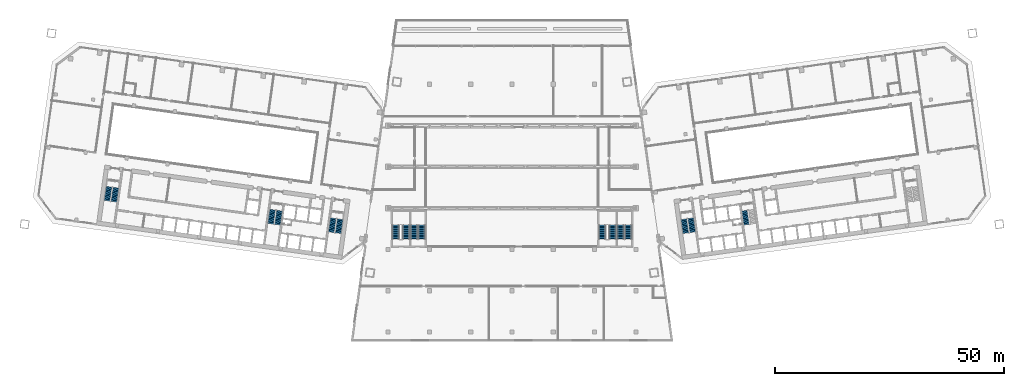
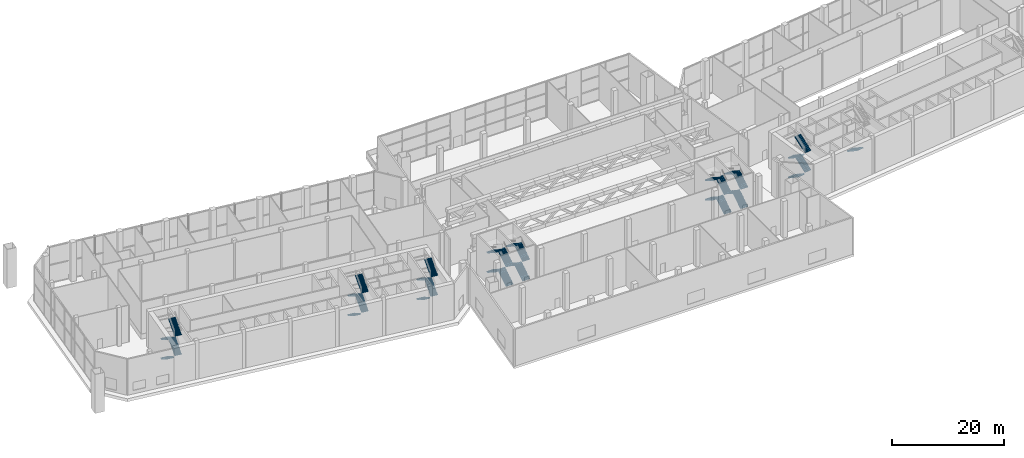
# One storey, part 26 of 31: 33 stair flights, 9 elements without a shape of their own.
"""IFC4 building model written with IfcOpenShell, lengths in metres."""

from ifc_helpers import new_model, si_unit, direction, frame, origin, place, context, subcontext, project, spatial, polyline, outline, extrude, material, type_object, element, aggregate, save


model = new_model("IFC4")

# Units and contexts
model_context = context("Model", 3, precision=1e-05, world=origin(), true_north=direction((0.0, 1.0)))
body_context = subcontext(model_context, "Body", "Model", "MODEL_VIEW")
ifc_project = project(units=[si_unit("LENGTHUNIT", "METRE"), si_unit("AREAUNIT", "SQUARE_METRE"), si_unit("VOLUMEUNIT", "CUBIC_METRE"), si_unit("PLANEANGLEUNIT", "RADIAN"), si_unit("MASSUNIT", "GRAM", prefix="KILO")], contexts=[model_context])

# Site, building, storey
site_placement = place(None, origin())
site = spatial("IfcSite", under=ifc_project, at=site_placement, CompositionType="ELEMENT")
building_placement = place(site_placement, origin())
building = spatial("IfcBuilding", under=site, at=building_placement, Name="Mirante Cascada Hotel Towers", CompositionType="ELEMENT")
storey_placement = place(building_placement, frame((0.0, 0.0, 9.0)))
storey = spatial("IfcBuildingStorey", under=building, at=storey_placement, Name="L01", CompositionType="ELEMENT", Elevation=9.0)

# Stair, stair flights
ifc_material_1 = material(Name="Concrete C35/45", Category="concrete")
stair_type_1 = type_object("IfcStairType", Name="Exit stair half-turn 1350 concrete C35/45", PredefinedType="HALF_TURN_STAIR", material=ifc_material_1)
stair_1_placement = place(storey_placement, origin())
stair_1 = element("IfcStair", 1, at=stair_1_placement, inside=storey, type_object=stair_type_1, Name="L01 Exit stair A", PredefinedType="HALF_TURN_STAIR")
ifc_material_2 = material(Name="Concrete C35/45", Category="concrete")
stair_flight_type_1 = type_object("IfcStairFlightType", Name="Exit stair flight 1350 concrete C35/45", PredefinedType="STRAIGHT", material=ifc_material_2)
stair_flight_1_placement = place(storey_placement, frame((-38.9417, -11.195, 0.0), z_axis=(0.0, 0.0, 1.0), x_axis=(-0.1391731, -0.9902681, 0.0)))
stair_flight_1 = element("IfcStairFlight", 2, at=stair_flight_1_placement, type_object=stair_flight_type_1, Name="ST1-A flight 1", NumberOfRisers=12, NumberOfTreads=11, PredefinedType="STRAIGHT", RiserHeight=0.177083333, TreadLength=0.28, context=body_context, shape_type="SweptSolid", body=[
    extrude(outline(polyline([(0.0, 0.0), (0.0, 0.1771), (0.28, 0.1771), (0.28, 0.3542), (0.56, 0.3542), (0.56, 0.5312), (0.84, 0.5312), (0.84, 0.7083), (1.12, 0.7083), (1.12, 0.8854), (1.4, 0.8854), (1.4, 1.0625), (1.68, 1.0625), (1.68, 1.2396), (1.96, 1.2396), (1.96, 1.4167), (2.24, 1.4167), (2.24, 1.5937), (2.52, 1.5937), (2.52, 1.7708), (2.8, 1.7708), (2.8, 1.9479), (3.08, 1.9479), (3.08, 2.125), (3.08, 1.7704), (0.2806, 0.0), (0.0, 0.0)])), frame((0.0, 0.675, 0.0), z_axis=(0.0, -1.0, 0.0), x_axis=(1.0, 0.0, 0.0)), (0.0, 0.0, 1.0), 1.35),
])
stair_flight_2_placement = place(storey_placement, frame((-37.885, -14.4538, 2.125), z_axis=(0.0, 0.0, 1.0), x_axis=(0.1391731, 0.9902681, 0.0)))
stair_flight_2 = element("IfcStairFlight", 3, at=stair_flight_2_placement, type_object=stair_flight_type_1, Name="ST1-A flight 2", NumberOfRisers=12, NumberOfTreads=11, PredefinedType="STRAIGHT", RiserHeight=0.177083333, TreadLength=0.28, context=body_context, shape_type="SweptSolid", body=[
    extrude(outline(polyline([(0.0, 0.0), (0.0, 0.1771), (0.28, 0.1771), (0.28, 0.3542), (0.56, 0.3542), (0.56, 0.5312), (0.84, 0.5312), (0.84, 0.7083), (1.12, 0.7083), (1.12, 0.8854), (1.4, 0.8854), (1.4, 1.0625), (1.68, 1.0625), (1.68, 1.2396), (1.96, 1.2396), (1.96, 1.4167), (2.24, 1.4167), (2.24, 1.5937), (2.52, 1.5937), (2.52, 1.7708), (2.8, 1.7708), (2.8, 1.9479), (3.08, 1.9479), (3.08, 2.125), (3.08, 1.7704), (0.2806, 0.0), (0.0, 0.0)])), frame((0.0, 0.675, 0.0), z_axis=(0.0, -1.0, 0.0), x_axis=(1.0, 0.0, 0.0)), (0.0, 0.0, 1.0), 1.35),
])
stair_flight_3_placement = place(storey_placement, frame((-38.9417, -11.195, 4.25), z_axis=(0.0, 0.0, 1.0), x_axis=(-0.1391731, -0.9902681, 0.0)))
stair_flight_3 = element("IfcStairFlight", 4, at=stair_flight_3_placement, type_object=stair_flight_type_1, Name="ST1-A flight 3", NumberOfRisers=12, NumberOfTreads=11, PredefinedType="STRAIGHT", RiserHeight=0.177083333, TreadLength=0.28, context=body_context, shape_type="SweptSolid", body=[
    extrude(outline(polyline([(0.0, 0.0), (0.0, 0.1771), (0.28, 0.1771), (0.28, 0.3542), (0.56, 0.3542), (0.56, 0.5312), (0.84, 0.5312), (0.84, 0.7083), (1.12, 0.7083), (1.12, 0.8854), (1.4, 0.8854), (1.4, 1.0625), (1.68, 1.0625), (1.68, 1.2396), (1.96, 1.2396), (1.96, 1.4167), (2.24, 1.4167), (2.24, 1.5937), (2.52, 1.5937), (2.52, 1.7708), (2.8, 1.7708), (2.8, 1.9479), (3.08, 1.9479), (3.08, 2.125), (3.08, 1.7704), (0.2806, 0.0), (0.0, 0.0)])), frame((0.0, 0.675, 0.0), z_axis=(0.0, -1.0, 0.0), x_axis=(1.0, 0.0, 0.0)), (0.0, 0.0, 1.0), 1.35),
])
stair_flight_4_placement = place(storey_placement, frame((-37.885, -14.4538, 6.375), z_axis=(0.0, 0.0, 1.0), x_axis=(0.1391731, 0.9902681, 0.0)))
stair_flight_4 = element("IfcStairFlight", 5, at=stair_flight_4_placement, type_object=stair_flight_type_1, Name="ST1-A flight 4", NumberOfRisers=12, NumberOfTreads=11, PredefinedType="STRAIGHT", RiserHeight=0.177083333, TreadLength=0.28, context=body_context, shape_type="SweptSolid", body=[
    extrude(outline(polyline([(0.0, 0.0), (0.0, 0.1771), (0.28, 0.1771), (0.28, 0.3542), (0.56, 0.3542), (0.56, 0.5312), (0.84, 0.5312), (0.84, 0.7083), (1.12, 0.7083), (1.12, 0.8854), (1.4, 0.8854), (1.4, 1.0625), (1.68, 1.0625), (1.68, 1.2396), (1.96, 1.2396), (1.96, 1.4167), (2.24, 1.4167), (2.24, 1.5937), (2.52, 1.5937), (2.52, 1.7708), (2.8, 1.7708), (2.8, 1.9479), (3.08, 1.9479), (3.08, 2.125), (3.08, 1.7704), (0.2806, 0.0), (0.0, 0.0)])), frame((0.0, 0.675, 0.0), z_axis=(0.0, -1.0, 0.0), x_axis=(1.0, 0.0, 0.0)), (0.0, 0.0, 1.0), 1.35),
])
aggregate(stair_1, [stair_flight_1, stair_flight_2, stair_flight_3, stair_flight_4])

stair_2_placement = place(storey_placement, origin())
stair_2 = element("IfcStair", 6, at=stair_2_placement, inside=storey, type_object=stair_type_1, Name="L01 Exit stair B", PredefinedType="HALF_TURN_STAIR")
stair_flight_5_placement = place(storey_placement, frame((-52.1618, -9.3371, 0.0), z_axis=(0.0, 0.0, 1.0), x_axis=(-0.1391731, -0.9902681, 0.0)))
stair_flight_5 = element("IfcStairFlight", 7, at=stair_flight_5_placement, type_object=stair_flight_type_1, Name="ST1-B flight 1", NumberOfRisers=12, NumberOfTreads=11, PredefinedType="STRAIGHT", RiserHeight=0.177083333, TreadLength=0.28, context=body_context, shape_type="SweptSolid", body=[
    extrude(outline(polyline([(0.0, 0.0), (0.0, 0.1771), (0.28, 0.1771), (0.28, 0.3542), (0.56, 0.3542), (0.56, 0.5312), (0.84, 0.5312), (0.84, 0.7083), (1.12, 0.7083), (1.12, 0.8854), (1.4, 0.8854), (1.4, 1.0625), (1.68, 1.0625), (1.68, 1.2396), (1.96, 1.2396), (1.96, 1.4167), (2.24, 1.4167), (2.24, 1.5937), (2.52, 1.5937), (2.52, 1.7708), (2.8, 1.7708), (2.8, 1.9479), (3.08, 1.9479), (3.08, 2.125), (3.08, 1.7704), (0.2806, 0.0), (0.0, 0.0)])), frame((0.0, 0.675, 0.0), z_axis=(0.0, -1.0, 0.0), x_axis=(1.0, 0.0, 0.0)), (0.0, 0.0, 1.0), 1.35),
])
stair_flight_6_placement = place(storey_placement, frame((-51.1051, -12.5959, 2.125), z_axis=(0.0, 0.0, 1.0), x_axis=(0.1391731, 0.9902681, 0.0)))
stair_flight_6 = element("IfcStairFlight", 8, at=stair_flight_6_placement, type_object=stair_flight_type_1, Name="ST1-B flight 2", NumberOfRisers=12, NumberOfTreads=11, PredefinedType="STRAIGHT", RiserHeight=0.177083333, TreadLength=0.28, context=body_context, shape_type="SweptSolid", body=[
    extrude(outline(polyline([(0.0, 0.0), (0.0, 0.1771), (0.28, 0.1771), (0.28, 0.3542), (0.56, 0.3542), (0.56, 0.5312), (0.84, 0.5312), (0.84, 0.7083), (1.12, 0.7083), (1.12, 0.8854), (1.4, 0.8854), (1.4, 1.0625), (1.68, 1.0625), (1.68, 1.2396), (1.96, 1.2396), (1.96, 1.4167), (2.24, 1.4167), (2.24, 1.5937), (2.52, 1.5937), (2.52, 1.7708), (2.8, 1.7708), (2.8, 1.9479), (3.08, 1.9479), (3.08, 2.125), (3.08, 1.7704), (0.2806, 0.0), (0.0, 0.0)])), frame((0.0, 0.675, 0.0), z_axis=(0.0, -1.0, 0.0), x_axis=(1.0, 0.0, 0.0)), (0.0, 0.0, 1.0), 1.35),
])
stair_flight_7_placement = place(storey_placement, frame((-52.1618, -9.3371, 4.25), z_axis=(0.0, 0.0, 1.0), x_axis=(-0.1391731, -0.9902681, 0.0)))
stair_flight_7 = element("IfcStairFlight", 9, at=stair_flight_7_placement, type_object=stair_flight_type_1, Name="ST1-B flight 3", NumberOfRisers=12, NumberOfTreads=11, PredefinedType="STRAIGHT", RiserHeight=0.177083333, TreadLength=0.28, context=body_context, shape_type="SweptSolid", body=[
    extrude(outline(polyline([(0.0, 0.0), (0.0, 0.1771), (0.28, 0.1771), (0.28, 0.3542), (0.56, 0.3542), (0.56, 0.5312), (0.84, 0.5312), (0.84, 0.7083), (1.12, 0.7083), (1.12, 0.8854), (1.4, 0.8854), (1.4, 1.0625), (1.68, 1.0625), (1.68, 1.2396), (1.96, 1.2396), (1.96, 1.4167), (2.24, 1.4167), (2.24, 1.5937), (2.52, 1.5937), (2.52, 1.7708), (2.8, 1.7708), (2.8, 1.9479), (3.08, 1.9479), (3.08, 2.125), (3.08, 1.7704), (0.2806, 0.0), (0.0, 0.0)])), frame((0.0, 0.675, 0.0), z_axis=(0.0, -1.0, 0.0), x_axis=(1.0, 0.0, 0.0)), (0.0, 0.0, 1.0), 1.35),
])
stair_flight_8_placement = place(storey_placement, frame((-51.1051, -12.5959, 6.375), z_axis=(0.0, 0.0, 1.0), x_axis=(0.1391731, 0.9902681, 0.0)))
stair_flight_8 = element("IfcStairFlight", 10, at=stair_flight_8_placement, type_object=stair_flight_type_1, Name="ST1-B flight 4", NumberOfRisers=12, NumberOfTreads=11, PredefinedType="STRAIGHT", RiserHeight=0.177083333, TreadLength=0.28, context=body_context, shape_type="SweptSolid", body=[
    extrude(outline(polyline([(0.0, 0.0), (0.0, 0.1771), (0.28, 0.1771), (0.28, 0.3542), (0.56, 0.3542), (0.56, 0.5312), (0.84, 0.5312), (0.84, 0.7083), (1.12, 0.7083), (1.12, 0.8854), (1.4, 0.8854), (1.4, 1.0625), (1.68, 1.0625), (1.68, 1.2396), (1.96, 1.2396), (1.96, 1.4167), (2.24, 1.4167), (2.24, 1.5937), (2.52, 1.5937), (2.52, 1.7708), (2.8, 1.7708), (2.8, 1.9479), (3.08, 1.9479), (3.08, 2.125), (3.08, 1.7704), (0.2806, 0.0), (0.0, 0.0)])), frame((0.0, 0.675, 0.0), z_axis=(0.0, -1.0, 0.0), x_axis=(1.0, 0.0, 0.0)), (0.0, 0.0, 1.0), 1.35),
])
aggregate(stair_2, [stair_flight_5, stair_flight_6, stair_flight_7, stair_flight_8])

stair_3_placement = place(storey_placement, origin())
stair_3 = element("IfcStair", 11, at=stair_3_placement, inside=storey, type_object=stair_type_1, Name="L01 Exit stair C", PredefinedType="HALF_TURN_STAIR")
stair_flight_9_placement = place(storey_placement, frame((-87.8115, -4.3268, 0.0), z_axis=(0.0, 0.0, 1.0), x_axis=(-0.1391731, -0.9902681, 0.0)))
stair_flight_9 = element("IfcStairFlight", 12, at=stair_flight_9_placement, type_object=stair_flight_type_1, Name="ST1-C flight 1", NumberOfRisers=12, NumberOfTreads=11, PredefinedType="STRAIGHT", RiserHeight=0.177083333, TreadLength=0.28, context=body_context, shape_type="SweptSolid", body=[
    extrude(outline(polyline([(0.0, 0.0), (0.0, 0.1771), (0.28, 0.1771), (0.28, 0.3542), (0.56, 0.3542), (0.56, 0.5312), (0.84, 0.5312), (0.84, 0.7083), (1.12, 0.7083), (1.12, 0.8854), (1.4, 0.8854), (1.4, 1.0625), (1.68, 1.0625), (1.68, 1.2396), (1.96, 1.2396), (1.96, 1.4167), (2.24, 1.4167), (2.24, 1.5937), (2.52, 1.5937), (2.52, 1.7708), (2.8, 1.7708), (2.8, 1.9479), (3.08, 1.9479), (3.08, 2.125), (3.08, 1.7704), (0.2806, 0.0), (0.0, 0.0)])), frame((0.0, 0.675, 0.0), z_axis=(0.0, -1.0, 0.0), x_axis=(1.0, 0.0, 0.0)), (0.0, 0.0, 1.0), 1.35),
])
stair_flight_10_placement = place(storey_placement, frame((-86.7547, -7.5856, 2.125), z_axis=(0.0, 0.0, 1.0), x_axis=(0.1391731, 0.9902681, 0.0)))
stair_flight_10 = element("IfcStairFlight", 13, at=stair_flight_10_placement, type_object=stair_flight_type_1, Name="ST1-C flight 2", NumberOfRisers=12, NumberOfTreads=11, PredefinedType="STRAIGHT", RiserHeight=0.177083333, TreadLength=0.28, context=body_context, shape_type="SweptSolid", body=[
    extrude(outline(polyline([(0.0, 0.0), (0.0, 0.1771), (0.28, 0.1771), (0.28, 0.3542), (0.56, 0.3542), (0.56, 0.5312), (0.84, 0.5312), (0.84, 0.7083), (1.12, 0.7083), (1.12, 0.8854), (1.4, 0.8854), (1.4, 1.0625), (1.68, 1.0625), (1.68, 1.2396), (1.96, 1.2396), (1.96, 1.4167), (2.24, 1.4167), (2.24, 1.5937), (2.52, 1.5937), (2.52, 1.7708), (2.8, 1.7708), (2.8, 1.9479), (3.08, 1.9479), (3.08, 2.125), (3.08, 1.7704), (0.2806, 0.0), (0.0, 0.0)])), frame((0.0, 0.675, 0.0), z_axis=(0.0, -1.0, 0.0), x_axis=(1.0, 0.0, 0.0)), (0.0, 0.0, 1.0), 1.35),
])
stair_flight_11_placement = place(storey_placement, frame((-87.8115, -4.3268, 4.25), z_axis=(0.0, 0.0, 1.0), x_axis=(-0.1391731, -0.9902681, 0.0)))
stair_flight_11 = element("IfcStairFlight", 14, at=stair_flight_11_placement, type_object=stair_flight_type_1, Name="ST1-C flight 3", NumberOfRisers=12, NumberOfTreads=11, PredefinedType="STRAIGHT", RiserHeight=0.177083333, TreadLength=0.28, context=body_context, shape_type="SweptSolid", body=[
    extrude(outline(polyline([(0.0, 0.0), (0.0, 0.1771), (0.28, 0.1771), (0.28, 0.3542), (0.56, 0.3542), (0.56, 0.5312), (0.84, 0.5312), (0.84, 0.7083), (1.12, 0.7083), (1.12, 0.8854), (1.4, 0.8854), (1.4, 1.0625), (1.68, 1.0625), (1.68, 1.2396), (1.96, 1.2396), (1.96, 1.4167), (2.24, 1.4167), (2.24, 1.5937), (2.52, 1.5937), (2.52, 1.7708), (2.8, 1.7708), (2.8, 1.9479), (3.08, 1.9479), (3.08, 2.125), (3.08, 1.7704), (0.2806, 0.0), (0.0, 0.0)])), frame((0.0, 0.675, 0.0), z_axis=(0.0, -1.0, 0.0), x_axis=(1.0, 0.0, 0.0)), (0.0, 0.0, 1.0), 1.35),
])
stair_flight_12_placement = place(storey_placement, frame((-86.7547, -7.5856, 6.375), z_axis=(0.0, 0.0, 1.0), x_axis=(0.1391731, 0.9902681, 0.0)))
stair_flight_12 = element("IfcStairFlight", 15, at=stair_flight_12_placement, type_object=stair_flight_type_1, Name="ST1-C flight 4", NumberOfRisers=12, NumberOfTreads=11, PredefinedType="STRAIGHT", RiserHeight=0.177083333, TreadLength=0.28, context=body_context, shape_type="SweptSolid", body=[
    extrude(outline(polyline([(0.0, 0.0), (0.0, 0.1771), (0.28, 0.1771), (0.28, 0.3542), (0.56, 0.3542), (0.56, 0.5312), (0.84, 0.5312), (0.84, 0.7083), (1.12, 0.7083), (1.12, 0.8854), (1.4, 0.8854), (1.4, 1.0625), (1.68, 1.0625), (1.68, 1.2396), (1.96, 1.2396), (1.96, 1.4167), (2.24, 1.4167), (2.24, 1.5937), (2.52, 1.5937), (2.52, 1.7708), (2.8, 1.7708), (2.8, 1.9479), (3.08, 1.9479), (3.08, 2.125), (3.08, 1.7704), (0.2806, 0.0), (0.0, 0.0)])), frame((0.0, 0.675, 0.0), z_axis=(0.0, -1.0, 0.0), x_axis=(1.0, 0.0, 0.0)), (0.0, 0.0, 1.0), 1.35),
])
aggregate(stair_3, [stair_flight_9, stair_flight_10, stair_flight_11, stair_flight_12])

stair_4_placement = place(storey_placement, origin())
stair_4 = element("IfcStair", 16, at=stair_4_placement, inside=storey, type_object=stair_type_1, Name="L01 Exit stair A", PredefinedType="HALF_TURN_STAIR")
stair_flight_13_placement = place(storey_placement, frame((37.4563, -11.4038, 0.0), z_axis=(0.0, 0.0, 1.0), x_axis=(0.1391731, -0.9902681, 0.0)))
stair_flight_13 = element("IfcStairFlight", 17, at=stair_flight_13_placement, type_object=stair_flight_type_1, Name="ST2-A flight 1", NumberOfRisers=12, NumberOfTreads=11, PredefinedType="STRAIGHT", RiserHeight=0.177083333, TreadLength=0.28, context=body_context, shape_type="SweptSolid", body=[
    extrude(outline(polyline([(0.0, 0.0), (0.0, 0.1771), (0.28, 0.1771), (0.28, 0.3542), (0.56, 0.3542), (0.56, 0.5312), (0.84, 0.5312), (0.84, 0.7083), (1.12, 0.7083), (1.12, 0.8854), (1.4, 0.8854), (1.4, 1.0625), (1.68, 1.0625), (1.68, 1.2396), (1.96, 1.2396), (1.96, 1.4167), (2.24, 1.4167), (2.24, 1.5937), (2.52, 1.5937), (2.52, 1.7708), (2.8, 1.7708), (2.8, 1.9479), (3.08, 1.9479), (3.08, 2.125), (3.08, 1.7704), (0.2806, 0.0), (0.0, 0.0)])), frame((0.0, 0.675, 0.0), z_axis=(0.0, -1.0, 0.0), x_axis=(1.0, 0.0, 0.0)), (0.0, 0.0, 1.0), 1.35),
])
stair_flight_14_placement = place(storey_placement, frame((39.3704, -14.2451, 2.125), z_axis=(0.0, 0.0, 1.0), x_axis=(-0.1391731, 0.9902681, 0.0)))
stair_flight_14 = element("IfcStairFlight", 18, at=stair_flight_14_placement, type_object=stair_flight_type_1, Name="ST2-A flight 2", NumberOfRisers=12, NumberOfTreads=11, PredefinedType="STRAIGHT", RiserHeight=0.177083333, TreadLength=0.28, context=body_context, shape_type="SweptSolid", body=[
    extrude(outline(polyline([(0.0, 0.0), (0.0, 0.1771), (0.28, 0.1771), (0.28, 0.3542), (0.56, 0.3542), (0.56, 0.5312), (0.84, 0.5312), (0.84, 0.7083), (1.12, 0.7083), (1.12, 0.8854), (1.4, 0.8854), (1.4, 1.0625), (1.68, 1.0625), (1.68, 1.2396), (1.96, 1.2396), (1.96, 1.4167), (2.24, 1.4167), (2.24, 1.5937), (2.52, 1.5937), (2.52, 1.7708), (2.8, 1.7708), (2.8, 1.9479), (3.08, 1.9479), (3.08, 2.125), (3.08, 1.7704), (0.2806, 0.0), (0.0, 0.0)])), frame((0.0, 0.675, 0.0), z_axis=(0.0, -1.0, 0.0), x_axis=(1.0, 0.0, 0.0)), (0.0, 0.0, 1.0), 1.35),
])
stair_flight_15_placement = place(storey_placement, frame((37.4563, -11.4038, 4.25), z_axis=(0.0, 0.0, 1.0), x_axis=(0.1391731, -0.9902681, 0.0)))
stair_flight_15 = element("IfcStairFlight", 19, at=stair_flight_15_placement, type_object=stair_flight_type_1, Name="ST2-A flight 3", NumberOfRisers=12, NumberOfTreads=11, PredefinedType="STRAIGHT", RiserHeight=0.177083333, TreadLength=0.28, context=body_context, shape_type="SweptSolid", body=[
    extrude(outline(polyline([(0.0, 0.0), (0.0, 0.1771), (0.28, 0.1771), (0.28, 0.3542), (0.56, 0.3542), (0.56, 0.5312), (0.84, 0.5312), (0.84, 0.7083), (1.12, 0.7083), (1.12, 0.8854), (1.4, 0.8854), (1.4, 1.0625), (1.68, 1.0625), (1.68, 1.2396), (1.96, 1.2396), (1.96, 1.4167), (2.24, 1.4167), (2.24, 1.5937), (2.52, 1.5937), (2.52, 1.7708), (2.8, 1.7708), (2.8, 1.9479), (3.08, 1.9479), (3.08, 2.125), (3.08, 1.7704), (0.2806, 0.0), (0.0, 0.0)])), frame((0.0, 0.675, 0.0), z_axis=(0.0, -1.0, 0.0), x_axis=(1.0, 0.0, 0.0)), (0.0, 0.0, 1.0), 1.35),
])
stair_flight_16_placement = place(storey_placement, frame((39.3704, -14.2451, 6.375), z_axis=(0.0, 0.0, 1.0), x_axis=(-0.1391731, 0.9902681, 0.0)))
stair_flight_16 = element("IfcStairFlight", 20, at=stair_flight_16_placement, type_object=stair_flight_type_1, Name="ST2-A flight 4", NumberOfRisers=12, NumberOfTreads=11, PredefinedType="STRAIGHT", RiserHeight=0.177083333, TreadLength=0.28, context=body_context, shape_type="SweptSolid", body=[
    extrude(outline(polyline([(0.0, 0.0), (0.0, 0.1771), (0.28, 0.1771), (0.28, 0.3542), (0.56, 0.3542), (0.56, 0.5312), (0.84, 0.5312), (0.84, 0.7083), (1.12, 0.7083), (1.12, 0.8854), (1.4, 0.8854), (1.4, 1.0625), (1.68, 1.0625), (1.68, 1.2396), (1.96, 1.2396), (1.96, 1.4167), (2.24, 1.4167), (2.24, 1.5937), (2.52, 1.5937), (2.52, 1.7708), (2.8, 1.7708), (2.8, 1.9479), (3.08, 1.9479), (3.08, 2.125), (3.08, 1.7704), (0.2806, 0.0), (0.0, 0.0)])), frame((0.0, 0.675, 0.0), z_axis=(0.0, -1.0, 0.0), x_axis=(1.0, 0.0, 0.0)), (0.0, 0.0, 1.0), 1.35),
])
aggregate(stair_4, [stair_flight_13, stair_flight_14, stair_flight_15, stair_flight_16])

# Stair, stair flight
stair_5_placement = place(storey_placement, origin())
stair_5 = element("IfcStair", 21, at=stair_5_placement, inside=storey, type_object=stair_type_1, Name="L01 Exit stair B", PredefinedType="HALF_TURN_STAIR")
stair_flight_17_placement = place(storey_placement, frame((50.6764, -9.5458, 0.0), z_axis=(0.0, 0.0, 1.0), x_axis=(0.1391731, -0.9902681, 0.0)))
stair_flight_17 = element("IfcStairFlight", 22, at=stair_flight_17_placement, type_object=stair_flight_type_1, Name="ST2-B flight 1", NumberOfRisers=12, NumberOfTreads=11, PredefinedType="STRAIGHT", RiserHeight=0.177083333, TreadLength=0.28, context=body_context, shape_type="SweptSolid", body=[
    extrude(outline(polyline([(0.0, 0.0), (0.0, 0.1771), (0.28, 0.1771), (0.28, 0.3542), (0.56, 0.3542), (0.56, 0.5312), (0.84, 0.5312), (0.84, 0.7083), (1.12, 0.7083), (1.12, 0.8854), (1.4, 0.8854), (1.4, 1.0625), (1.68, 1.0625), (1.68, 1.2396), (1.96, 1.2396), (1.96, 1.4167), (2.24, 1.4167), (2.24, 1.5937), (2.52, 1.5937), (2.52, 1.7708), (2.8, 1.7708), (2.8, 1.9479), (3.08, 1.9479), (3.08, 2.125), (3.08, 1.7704), (0.2806, 0.0), (0.0, 0.0)])), frame((0.0, 0.675, 0.0), z_axis=(0.0, -1.0, 0.0), x_axis=(1.0, 0.0, 0.0)), (0.0, 0.0, 1.0), 1.35),
])
aggregate(stair_5, [stair_flight_17])

# Stair, stair flights
ifc_material_3 = material(Name="Concrete C35/45", Category="concrete")
stair_type_2 = type_object("IfcStairType", Name="Podium exit stair half-turn 1500 concrete C35/45", PredefinedType="HALF_TURN_STAIR", material=ifc_material_3)
stair_6_placement = place(storey_placement, origin())
stair_6 = element("IfcStair", 23, at=stair_6_placement, inside=storey, type_object=stair_type_2, Name="L01 Podium exit stair 3", PredefinedType="HALF_TURN_STAIR")
ifc_material_4 = material(Name="Concrete C35/45", Category="concrete")
stair_flight_type_2 = type_object("IfcStairFlightType", Name="Podium exit stair flight 1500 concrete C35/45", PredefinedType="STRAIGHT", material=ifc_material_4)
stair_flight_18_placement = place(storey_placement, frame((-19.675, -15.775, 0.0), z_axis=(0.0, 0.0, 1.0), x_axis=(0.0, 1.0, 0.0)))
stair_flight_18 = element("IfcStairFlight", 24, at=stair_flight_18_placement, type_object=stair_flight_type_2, Name="PS1 flight 1", NumberOfRisers=12, NumberOfTreads=11, PredefinedType="STRAIGHT", RiserHeight=0.177083333, TreadLength=0.28, context=body_context, shape_type="SweptSolid", body=[
    extrude(outline(polyline([(0.0, 0.0), (0.0, 0.1771), (0.28, 0.1771), (0.28, 0.3542), (0.56, 0.3542), (0.56, 0.5312), (0.84, 0.5312), (0.84, 0.7083), (1.12, 0.7083), (1.12, 0.8854), (1.4, 0.8854), (1.4, 1.0625), (1.68, 1.0625), (1.68, 1.2396), (1.96, 1.2396), (1.96, 1.4167), (2.24, 1.4167), (2.24, 1.5937), (2.52, 1.5937), (2.52, 1.7708), (2.8, 1.7708), (2.8, 1.9479), (3.08, 1.9479), (3.08, 2.125), (3.08, 1.7704), (0.2806, 0.0), (0.0, 0.0)])), frame((0.0, 0.75, 0.0), z_axis=(0.0, -1.0, 0.0), x_axis=(1.0, 0.0, 0.0)), (0.0, 0.0, 1.0), 1.5),
])
stair_flight_19_placement = place(storey_placement, frame((-21.325, -12.695, 2.125), z_axis=(0.0, 0.0, 1.0), x_axis=(0.0, -1.0, 0.0)))
stair_flight_19 = element("IfcStairFlight", 25, at=stair_flight_19_placement, type_object=stair_flight_type_2, Name="PS1 flight 2", NumberOfRisers=12, NumberOfTreads=11, PredefinedType="STRAIGHT", RiserHeight=0.177083333, TreadLength=0.28, context=body_context, shape_type="SweptSolid", body=[
    extrude(outline(polyline([(0.0, 0.0), (0.0, 0.1771), (0.28, 0.1771), (0.28, 0.3542), (0.56, 0.3542), (0.56, 0.5312), (0.84, 0.5312), (0.84, 0.7083), (1.12, 0.7083), (1.12, 0.8854), (1.4, 0.8854), (1.4, 1.0625), (1.68, 1.0625), (1.68, 1.2396), (1.96, 1.2396), (1.96, 1.4167), (2.24, 1.4167), (2.24, 1.5937), (2.52, 1.5937), (2.52, 1.7708), (2.8, 1.7708), (2.8, 1.9479), (3.08, 1.9479), (3.08, 2.125), (3.08, 1.7704), (0.2806, 0.0), (0.0, 0.0)])), frame((0.0, 0.75, 0.0), z_axis=(0.0, -1.0, 0.0), x_axis=(1.0, 0.0, 0.0)), (0.0, 0.0, 1.0), 1.5),
])
stair_flight_20_placement = place(storey_placement, frame((-19.675, -15.775, 4.25), z_axis=(0.0, 0.0, 1.0), x_axis=(0.0, 1.0, 0.0)))
stair_flight_20 = element("IfcStairFlight", 26, at=stair_flight_20_placement, type_object=stair_flight_type_2, Name="PS1 flight 3", NumberOfRisers=12, NumberOfTreads=11, PredefinedType="STRAIGHT", RiserHeight=0.177083333, TreadLength=0.28, context=body_context, shape_type="SweptSolid", body=[
    extrude(outline(polyline([(0.0, 0.0), (0.0, 0.1771), (0.28, 0.1771), (0.28, 0.3542), (0.56, 0.3542), (0.56, 0.5312), (0.84, 0.5312), (0.84, 0.7083), (1.12, 0.7083), (1.12, 0.8854), (1.4, 0.8854), (1.4, 1.0625), (1.68, 1.0625), (1.68, 1.2396), (1.96, 1.2396), (1.96, 1.4167), (2.24, 1.4167), (2.24, 1.5937), (2.52, 1.5937), (2.52, 1.7708), (2.8, 1.7708), (2.8, 1.9479), (3.08, 1.9479), (3.08, 2.125), (3.08, 1.7704), (0.2806, 0.0), (0.0, 0.0)])), frame((0.0, 0.75, 0.0), z_axis=(0.0, -1.0, 0.0), x_axis=(1.0, 0.0, 0.0)), (0.0, 0.0, 1.0), 1.5),
])
stair_flight_21_placement = place(storey_placement, frame((-21.325, -12.695, 6.375), z_axis=(0.0, 0.0, 1.0), x_axis=(0.0, -1.0, 0.0)))
stair_flight_21 = element("IfcStairFlight", 27, at=stair_flight_21_placement, type_object=stair_flight_type_2, Name="PS1 flight 4", NumberOfRisers=12, NumberOfTreads=11, PredefinedType="STRAIGHT", RiserHeight=0.177083333, TreadLength=0.28, context=body_context, shape_type="SweptSolid", body=[
    extrude(outline(polyline([(0.0, 0.0), (0.0, 0.1771), (0.28, 0.1771), (0.28, 0.3542), (0.56, 0.3542), (0.56, 0.5312), (0.84, 0.5312), (0.84, 0.7083), (1.12, 0.7083), (1.12, 0.8854), (1.4, 0.8854), (1.4, 1.0625), (1.68, 1.0625), (1.68, 1.2396), (1.96, 1.2396), (1.96, 1.4167), (2.24, 1.4167), (2.24, 1.5937), (2.52, 1.5937), (2.52, 1.7708), (2.8, 1.7708), (2.8, 1.9479), (3.08, 1.9479), (3.08, 2.125), (3.08, 1.7704), (0.2806, 0.0), (0.0, 0.0)])), frame((0.0, 0.75, 0.0), z_axis=(0.0, -1.0, 0.0), x_axis=(1.0, 0.0, 0.0)), (0.0, 0.0, 1.0), 1.5),
])
aggregate(stair_6, [stair_flight_18, stair_flight_19, stair_flight_20, stair_flight_21])

stair_7_placement = place(storey_placement, origin())
stair_7 = element("IfcStair", 28, at=stair_7_placement, inside=storey, type_object=stair_type_2, Name="L01 Podium exit stair 5", PredefinedType="HALF_TURN_STAIR")
stair_flight_22_placement = place(storey_placement, frame((-23.075, -15.775, 0.0), z_axis=(0.0, 0.0, 1.0), x_axis=(0.0, 1.0, 0.0)))
stair_flight_22 = element("IfcStairFlight", 29, at=stair_flight_22_placement, type_object=stair_flight_type_2, Name="PS3 flight 1", NumberOfRisers=12, NumberOfTreads=11, PredefinedType="STRAIGHT", RiserHeight=0.177083333, TreadLength=0.28, context=body_context, shape_type="SweptSolid", body=[
    extrude(outline(polyline([(0.0, 0.0), (0.0, 0.1771), (0.28, 0.1771), (0.28, 0.3542), (0.56, 0.3542), (0.56, 0.5312), (0.84, 0.5312), (0.84, 0.7083), (1.12, 0.7083), (1.12, 0.8854), (1.4, 0.8854), (1.4, 1.0625), (1.68, 1.0625), (1.68, 1.2396), (1.96, 1.2396), (1.96, 1.4167), (2.24, 1.4167), (2.24, 1.5937), (2.52, 1.5937), (2.52, 1.7708), (2.8, 1.7708), (2.8, 1.9479), (3.08, 1.9479), (3.08, 2.125), (3.08, 1.7704), (0.2806, 0.0), (0.0, 0.0)])), frame((0.0, 0.75, 0.0), z_axis=(0.0, -1.0, 0.0), x_axis=(1.0, 0.0, 0.0)), (0.0, 0.0, 1.0), 1.5),
])
stair_flight_23_placement = place(storey_placement, frame((-25.325, -12.695, 2.125), z_axis=(0.0, 0.0, 1.0), x_axis=(0.0, -1.0, 0.0)))
stair_flight_23 = element("IfcStairFlight", 30, at=stair_flight_23_placement, type_object=stair_flight_type_2, Name="PS3 flight 2", NumberOfRisers=12, NumberOfTreads=11, PredefinedType="STRAIGHT", RiserHeight=0.177083333, TreadLength=0.28, context=body_context, shape_type="SweptSolid", body=[
    extrude(outline(polyline([(0.0, 0.0), (0.0, 0.1771), (0.28, 0.1771), (0.28, 0.3542), (0.56, 0.3542), (0.56, 0.5312), (0.84, 0.5312), (0.84, 0.7083), (1.12, 0.7083), (1.12, 0.8854), (1.4, 0.8854), (1.4, 1.0625), (1.68, 1.0625), (1.68, 1.2396), (1.96, 1.2396), (1.96, 1.4167), (2.24, 1.4167), (2.24, 1.5937), (2.52, 1.5937), (2.52, 1.7708), (2.8, 1.7708), (2.8, 1.9479), (3.08, 1.9479), (3.08, 2.125), (3.08, 1.7704), (0.2806, 0.0), (0.0, 0.0)])), frame((0.0, 0.75, 0.0), z_axis=(0.0, -1.0, 0.0), x_axis=(1.0, 0.0, 0.0)), (0.0, 0.0, 1.0), 1.5),
])
stair_flight_24_placement = place(storey_placement, frame((-23.075, -15.775, 4.25), z_axis=(0.0, 0.0, 1.0), x_axis=(0.0, 1.0, 0.0)))
stair_flight_24 = element("IfcStairFlight", 31, at=stair_flight_24_placement, type_object=stair_flight_type_2, Name="PS3 flight 3", NumberOfRisers=12, NumberOfTreads=11, PredefinedType="STRAIGHT", RiserHeight=0.177083333, TreadLength=0.28, context=body_context, shape_type="SweptSolid", body=[
    extrude(outline(polyline([(0.0, 0.0), (0.0, 0.1771), (0.28, 0.1771), (0.28, 0.3542), (0.56, 0.3542), (0.56, 0.5312), (0.84, 0.5312), (0.84, 0.7083), (1.12, 0.7083), (1.12, 0.8854), (1.4, 0.8854), (1.4, 1.0625), (1.68, 1.0625), (1.68, 1.2396), (1.96, 1.2396), (1.96, 1.4167), (2.24, 1.4167), (2.24, 1.5937), (2.52, 1.5937), (2.52, 1.7708), (2.8, 1.7708), (2.8, 1.9479), (3.08, 1.9479), (3.08, 2.125), (3.08, 1.7704), (0.2806, 0.0), (0.0, 0.0)])), frame((0.0, 0.75, 0.0), z_axis=(0.0, -1.0, 0.0), x_axis=(1.0, 0.0, 0.0)), (0.0, 0.0, 1.0), 1.5),
])
stair_flight_25_placement = place(storey_placement, frame((-25.325, -12.695, 6.375), z_axis=(0.0, 0.0, 1.0), x_axis=(0.0, -1.0, 0.0)))
stair_flight_25 = element("IfcStairFlight", 32, at=stair_flight_25_placement, type_object=stair_flight_type_2, Name="PS3 flight 4", NumberOfRisers=12, NumberOfTreads=11, PredefinedType="STRAIGHT", RiserHeight=0.177083333, TreadLength=0.28, context=body_context, shape_type="SweptSolid", body=[
    extrude(outline(polyline([(0.0, 0.0), (0.0, 0.1771), (0.28, 0.1771), (0.28, 0.3542), (0.56, 0.3542), (0.56, 0.5312), (0.84, 0.5312), (0.84, 0.7083), (1.12, 0.7083), (1.12, 0.8854), (1.4, 0.8854), (1.4, 1.0625), (1.68, 1.0625), (1.68, 1.2396), (1.96, 1.2396), (1.96, 1.4167), (2.24, 1.4167), (2.24, 1.5937), (2.52, 1.5937), (2.52, 1.7708), (2.8, 1.7708), (2.8, 1.9479), (3.08, 1.9479), (3.08, 2.125), (3.08, 1.7704), (0.2806, 0.0), (0.0, 0.0)])), frame((0.0, 0.75, 0.0), z_axis=(0.0, -1.0, 0.0), x_axis=(1.0, 0.0, 0.0)), (0.0, 0.0, 1.0), 1.5),
])
aggregate(stair_7, [stair_flight_22, stair_flight_23, stair_flight_24, stair_flight_25])

stair_8_placement = place(storey_placement, origin())
stair_8 = element("IfcStair", 33, at=stair_8_placement, inside=storey, type_object=stair_type_2, Name="L01 Podium exit stair 4", PredefinedType="HALF_TURN_STAIR")
stair_flight_26_placement = place(storey_placement, frame((25.325, -15.775, 0.0), z_axis=(0.0, 0.0, 1.0), x_axis=(0.0, 1.0, 0.0)))
stair_flight_26 = element("IfcStairFlight", 34, at=stair_flight_26_placement, type_object=stair_flight_type_2, Name="PS2 flight 1", NumberOfRisers=12, NumberOfTreads=11, PredefinedType="STRAIGHT", RiserHeight=0.177083333, TreadLength=0.28, context=body_context, shape_type="SweptSolid", body=[
    extrude(outline(polyline([(0.0, 0.0), (0.0, 0.1771), (0.28, 0.1771), (0.28, 0.3542), (0.56, 0.3542), (0.56, 0.5312), (0.84, 0.5312), (0.84, 0.7083), (1.12, 0.7083), (1.12, 0.8854), (1.4, 0.8854), (1.4, 1.0625), (1.68, 1.0625), (1.68, 1.2396), (1.96, 1.2396), (1.96, 1.4167), (2.24, 1.4167), (2.24, 1.5937), (2.52, 1.5937), (2.52, 1.7708), (2.8, 1.7708), (2.8, 1.9479), (3.08, 1.9479), (3.08, 2.125), (3.08, 1.7704), (0.2806, 0.0), (0.0, 0.0)])), frame((0.0, 0.75, 0.0), z_axis=(0.0, -1.0, 0.0), x_axis=(1.0, 0.0, 0.0)), (0.0, 0.0, 1.0), 1.5),
])
stair_flight_27_placement = place(storey_placement, frame((23.675, -12.695, 2.125), z_axis=(0.0, 0.0, 1.0), x_axis=(0.0, -1.0, 0.0)))
stair_flight_27 = element("IfcStairFlight", 35, at=stair_flight_27_placement, type_object=stair_flight_type_2, Name="PS2 flight 2", NumberOfRisers=12, NumberOfTreads=11, PredefinedType="STRAIGHT", RiserHeight=0.177083333, TreadLength=0.28, context=body_context, shape_type="SweptSolid", body=[
    extrude(outline(polyline([(0.0, 0.0), (0.0, 0.1771), (0.28, 0.1771), (0.28, 0.3542), (0.56, 0.3542), (0.56, 0.5312), (0.84, 0.5312), (0.84, 0.7083), (1.12, 0.7083), (1.12, 0.8854), (1.4, 0.8854), (1.4, 1.0625), (1.68, 1.0625), (1.68, 1.2396), (1.96, 1.2396), (1.96, 1.4167), (2.24, 1.4167), (2.24, 1.5937), (2.52, 1.5937), (2.52, 1.7708), (2.8, 1.7708), (2.8, 1.9479), (3.08, 1.9479), (3.08, 2.125), (3.08, 1.7704), (0.2806, 0.0), (0.0, 0.0)])), frame((0.0, 0.75, 0.0), z_axis=(0.0, -1.0, 0.0), x_axis=(1.0, 0.0, 0.0)), (0.0, 0.0, 1.0), 1.5),
])
stair_flight_28_placement = place(storey_placement, frame((25.325, -15.775, 4.25), z_axis=(0.0, 0.0, 1.0), x_axis=(0.0, 1.0, 0.0)))
stair_flight_28 = element("IfcStairFlight", 36, at=stair_flight_28_placement, type_object=stair_flight_type_2, Name="PS2 flight 3", NumberOfRisers=12, NumberOfTreads=11, PredefinedType="STRAIGHT", RiserHeight=0.177083333, TreadLength=0.28, context=body_context, shape_type="SweptSolid", body=[
    extrude(outline(polyline([(0.0, 0.0), (0.0, 0.1771), (0.28, 0.1771), (0.28, 0.3542), (0.56, 0.3542), (0.56, 0.5312), (0.84, 0.5312), (0.84, 0.7083), (1.12, 0.7083), (1.12, 0.8854), (1.4, 0.8854), (1.4, 1.0625), (1.68, 1.0625), (1.68, 1.2396), (1.96, 1.2396), (1.96, 1.4167), (2.24, 1.4167), (2.24, 1.5937), (2.52, 1.5937), (2.52, 1.7708), (2.8, 1.7708), (2.8, 1.9479), (3.08, 1.9479), (3.08, 2.125), (3.08, 1.7704), (0.2806, 0.0), (0.0, 0.0)])), frame((0.0, 0.75, 0.0), z_axis=(0.0, -1.0, 0.0), x_axis=(1.0, 0.0, 0.0)), (0.0, 0.0, 1.0), 1.5),
])
stair_flight_29_placement = place(storey_placement, frame((23.675, -12.695, 6.375), z_axis=(0.0, 0.0, 1.0), x_axis=(0.0, -1.0, 0.0)))
stair_flight_29 = element("IfcStairFlight", 37, at=stair_flight_29_placement, type_object=stair_flight_type_2, Name="PS2 flight 4", NumberOfRisers=12, NumberOfTreads=11, PredefinedType="STRAIGHT", RiserHeight=0.177083333, TreadLength=0.28, context=body_context, shape_type="SweptSolid", body=[
    extrude(outline(polyline([(0.0, 0.0), (0.0, 0.1771), (0.28, 0.1771), (0.28, 0.3542), (0.56, 0.3542), (0.56, 0.5312), (0.84, 0.5312), (0.84, 0.7083), (1.12, 0.7083), (1.12, 0.8854), (1.4, 0.8854), (1.4, 1.0625), (1.68, 1.0625), (1.68, 1.2396), (1.96, 1.2396), (1.96, 1.4167), (2.24, 1.4167), (2.24, 1.5937), (2.52, 1.5937), (2.52, 1.7708), (2.8, 1.7708), (2.8, 1.9479), (3.08, 1.9479), (3.08, 2.125), (3.08, 1.7704), (0.2806, 0.0), (0.0, 0.0)])), frame((0.0, 0.75, 0.0), z_axis=(0.0, -1.0, 0.0), x_axis=(1.0, 0.0, 0.0)), (0.0, 0.0, 1.0), 1.5),
])
aggregate(stair_8, [stair_flight_26, stair_flight_27, stair_flight_28, stair_flight_29])

stair_9_placement = place(storey_placement, origin())
stair_9 = element("IfcStair", 38, at=stair_9_placement, inside=storey, type_object=stair_type_2, Name="L01 Podium exit stair 6", PredefinedType="HALF_TURN_STAIR")
stair_flight_30_placement = place(storey_placement, frame((21.925, -15.775, 0.0), z_axis=(0.0, 0.0, 1.0), x_axis=(0.0, 1.0, 0.0)))
stair_flight_30 = element("IfcStairFlight", 39, at=stair_flight_30_placement, type_object=stair_flight_type_2, Name="PS4 flight 1", NumberOfRisers=12, NumberOfTreads=11, PredefinedType="STRAIGHT", RiserHeight=0.177083333, TreadLength=0.28, context=body_context, shape_type="SweptSolid", body=[
    extrude(outline(polyline([(0.0, 0.0), (0.0, 0.1771), (0.28, 0.1771), (0.28, 0.3542), (0.56, 0.3542), (0.56, 0.5312), (0.84, 0.5312), (0.84, 0.7083), (1.12, 0.7083), (1.12, 0.8854), (1.4, 0.8854), (1.4, 1.0625), (1.68, 1.0625), (1.68, 1.2396), (1.96, 1.2396), (1.96, 1.4167), (2.24, 1.4167), (2.24, 1.5937), (2.52, 1.5937), (2.52, 1.7708), (2.8, 1.7708), (2.8, 1.9479), (3.08, 1.9479), (3.08, 2.125), (3.08, 1.7704), (0.2806, 0.0), (0.0, 0.0)])), frame((0.0, 0.75, 0.0), z_axis=(0.0, -1.0, 0.0), x_axis=(1.0, 0.0, 0.0)), (0.0, 0.0, 1.0), 1.5),
])
stair_flight_31_placement = place(storey_placement, frame((19.675, -12.695, 2.125), z_axis=(0.0, 0.0, 1.0), x_axis=(0.0, -1.0, 0.0)))
stair_flight_31 = element("IfcStairFlight", 40, at=stair_flight_31_placement, type_object=stair_flight_type_2, Name="PS4 flight 2", NumberOfRisers=12, NumberOfTreads=11, PredefinedType="STRAIGHT", RiserHeight=0.177083333, TreadLength=0.28, context=body_context, shape_type="SweptSolid", body=[
    extrude(outline(polyline([(0.0, 0.0), (0.0, 0.1771), (0.28, 0.1771), (0.28, 0.3542), (0.56, 0.3542), (0.56, 0.5312), (0.84, 0.5312), (0.84, 0.7083), (1.12, 0.7083), (1.12, 0.8854), (1.4, 0.8854), (1.4, 1.0625), (1.68, 1.0625), (1.68, 1.2396), (1.96, 1.2396), (1.96, 1.4167), (2.24, 1.4167), (2.24, 1.5937), (2.52, 1.5937), (2.52, 1.7708), (2.8, 1.7708), (2.8, 1.9479), (3.08, 1.9479), (3.08, 2.125), (3.08, 1.7704), (0.2806, 0.0), (0.0, 0.0)])), frame((0.0, 0.75, 0.0), z_axis=(0.0, -1.0, 0.0), x_axis=(1.0, 0.0, 0.0)), (0.0, 0.0, 1.0), 1.5),
])
stair_flight_32_placement = place(storey_placement, frame((21.925, -15.775, 4.25), z_axis=(0.0, 0.0, 1.0), x_axis=(0.0, 1.0, 0.0)))
stair_flight_32 = element("IfcStairFlight", 41, at=stair_flight_32_placement, type_object=stair_flight_type_2, Name="PS4 flight 3", NumberOfRisers=12, NumberOfTreads=11, PredefinedType="STRAIGHT", RiserHeight=0.177083333, TreadLength=0.28, context=body_context, shape_type="SweptSolid", body=[
    extrude(outline(polyline([(0.0, 0.0), (0.0, 0.1771), (0.28, 0.1771), (0.28, 0.3542), (0.56, 0.3542), (0.56, 0.5312), (0.84, 0.5312), (0.84, 0.7083), (1.12, 0.7083), (1.12, 0.8854), (1.4, 0.8854), (1.4, 1.0625), (1.68, 1.0625), (1.68, 1.2396), (1.96, 1.2396), (1.96, 1.4167), (2.24, 1.4167), (2.24, 1.5937), (2.52, 1.5937), (2.52, 1.7708), (2.8, 1.7708), (2.8, 1.9479), (3.08, 1.9479), (3.08, 2.125), (3.08, 1.7704), (0.2806, 0.0), (0.0, 0.0)])), frame((0.0, 0.75, 0.0), z_axis=(0.0, -1.0, 0.0), x_axis=(1.0, 0.0, 0.0)), (0.0, 0.0, 1.0), 1.5),
])
stair_flight_33_placement = place(storey_placement, frame((19.675, -12.695, 6.375), z_axis=(0.0, 0.0, 1.0), x_axis=(0.0, -1.0, 0.0)))
stair_flight_33 = element("IfcStairFlight", 42, at=stair_flight_33_placement, type_object=stair_flight_type_2, Name="PS4 flight 4", NumberOfRisers=12, NumberOfTreads=11, PredefinedType="STRAIGHT", RiserHeight=0.177083333, TreadLength=0.28, context=body_context, shape_type="SweptSolid", body=[
    extrude(outline(polyline([(0.0, 0.0), (0.0, 0.1771), (0.28, 0.1771), (0.28, 0.3542), (0.56, 0.3542), (0.56, 0.5312), (0.84, 0.5312), (0.84, 0.7083), (1.12, 0.7083), (1.12, 0.8854), (1.4, 0.8854), (1.4, 1.0625), (1.68, 1.0625), (1.68, 1.2396), (1.96, 1.2396), (1.96, 1.4167), (2.24, 1.4167), (2.24, 1.5937), (2.52, 1.5937), (2.52, 1.7708), (2.8, 1.7708), (2.8, 1.9479), (3.08, 1.9479), (3.08, 2.125), (3.08, 1.7704), (0.2806, 0.0), (0.0, 0.0)])), frame((0.0, 0.75, 0.0), z_axis=(0.0, -1.0, 0.0), x_axis=(1.0, 0.0, 0.0)), (0.0, 0.0, 1.0), 1.5),
])
aggregate(stair_9, [stair_flight_30, stair_flight_31, stair_flight_32, stair_flight_33])

save(model, "model.ifc")
